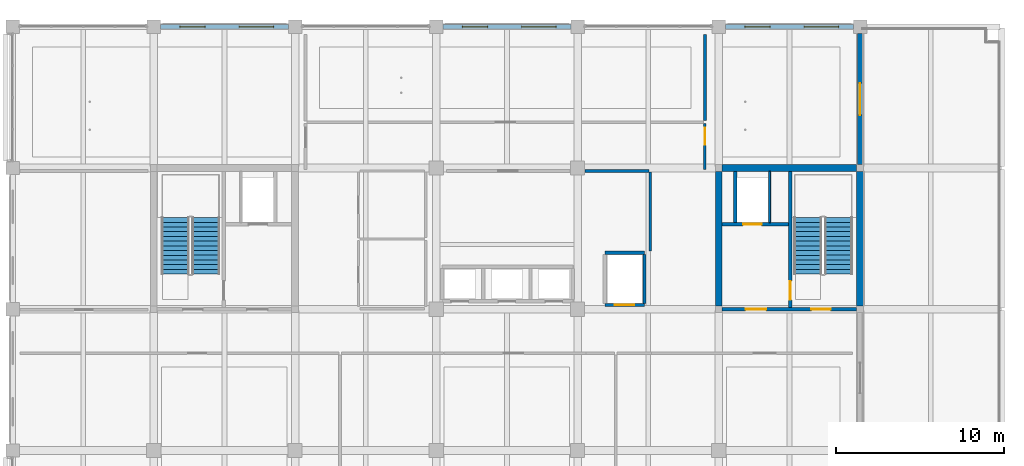
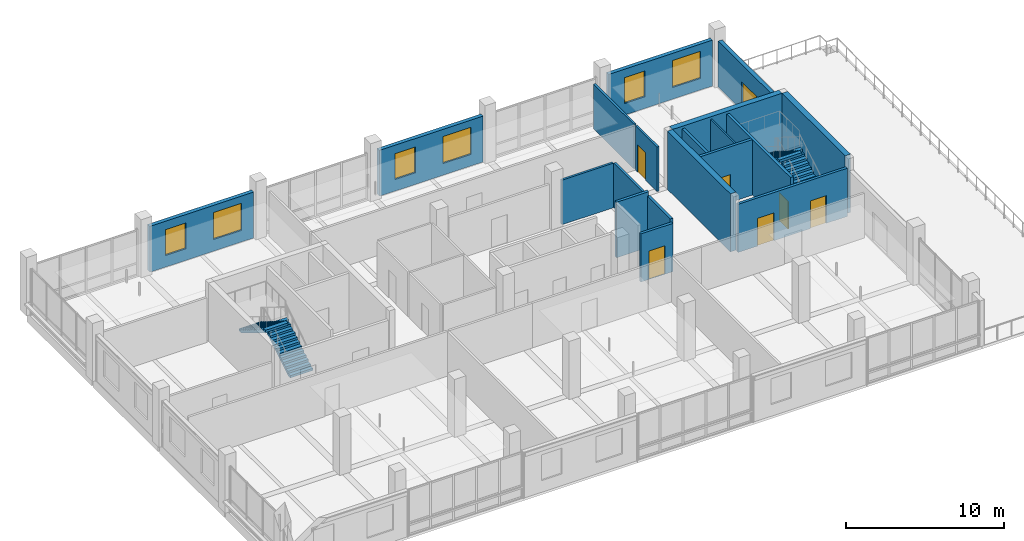
# One storey, part 13 of 36: 19 walls, 7 doors, 6 windows, 4 stair flights, 13 openings, 2 elements without a shape of their own.
"""IFC4 building model written with IfcOpenShell, lengths in metres."""

import ifcopenshell
import ifcopenshell.guid

model = None  # the IFC model being written
_history = None  # IfcOwnerHistory: only IFC2X3 demands one
_inside = {}  # id of a spatial element -> (the spatial element, [elements in it])
_under = {}  # id of a project, library or spatial element -> (it, [spatial elements below it])
_declared = {}  # id of a project -> (the project, [libraries it declares])
_typed = {}  # id of a type object -> (the type object, [elements of that type])
_made_of = {}  # id of a material, layer set ... -> (it, [elements and type objects made of it])


def new_model(schema):
    """Start an empty IFC model of exactly this schema.

    Asked for "IFC4X3", IfcOpenShell would pick the latest addendum, in which some entities
    have other attributes; the version numbers below select the first issue.
    IFC2X3 requires an IfcOwnerHistory on every rooted entity: one is made here for all.
    """
    global model, _history
    if schema == "IFC4X3":
        model = ifcopenshell.file(schema_version=(4, 3, 0, 0))
    else:
        model = ifcopenshell.file(schema=schema)
    _inside.clear()
    _under.clear()
    _declared.clear()
    _typed.clear()
    _made_of.clear()
    _history = None
    if model.schema == "IFC2X3":
        org = make("IfcOrganization", Name="unknown")
        user = make(
            "IfcPersonAndOrganization",
            ThePerson=make("IfcPerson", FamilyName="unknown"),
            TheOrganization=org,
        )
        app = make(
            "IfcApplication",
            ApplicationDeveloper=org,
            Version="unknown",
            ApplicationFullName="unknown",
            ApplicationIdentifier="unknown",
        )
        _history = make(
            "IfcOwnerHistory",
            OwningUser=user,
            OwningApplication=app,
            ChangeAction="ADDED",
            CreationDate=0,
        )
    return model


def make(cls, **values):
    """One entity of the class cls with the attributes given. An attribute that is None is left unset."""
    return model.create_entity(
        cls, **{name: value for name, value in values.items() if value is not None}
    )


def rooted(cls, **values):
    """An entity with a GlobalId (a new one), such as an element, a storey or a relation."""
    return make(cls, GlobalId=ifcopenshell.guid.new(), OwnerHistory=_history, **values)


def si_unit(unit_type, name, prefix=None):
    """IfcSIUnit, for example si_unit("LENGTHUNIT", "METRE", prefix="MILLI")."""
    return make("IfcSIUnit", UnitType=unit_type, Prefix=prefix, Name=name)


def assignment(units):
    """IfcUnitAssignment: the units of a project."""
    return None if units is None else make("IfcUnitAssignment", Units=units)


def point(xyz):
    """IfcCartesianPoint."""
    return None if xyz is None else make("IfcCartesianPoint", Coordinates=xyz)


def direction(xyz):
    """IfcDirection."""
    return None if xyz is None else make("IfcDirection", DirectionRatios=xyz)


def frame(location, z_axis=None, x_axis=None):
    """IfcAxis2Placement3D, a coordinate frame: its origin and axes. An axis left out is left unset."""
    return make(
        "IfcAxis2Placement3D",
        Location=point(location),
        Axis=direction(z_axis),
        RefDirection=direction(x_axis),
    )


def frame_2d(location, x_axis=None):
    """IfcAxis2Placement2D, a coordinate frame in the plane: its origin and x axis."""
    return make(
        "IfcAxis2Placement2D", Location=point(location), RefDirection=direction(x_axis)
    )


def origin():
    """The frame at (0, 0, 0) with its axes left unset."""
    return frame((0.0, 0.0, 0.0))


def place(relative_to, where):
    """IfcLocalPlacement: puts the frame where relative to a parent placement (None: the world)."""
    return make(
        "IfcLocalPlacement", PlacementRelTo=relative_to, RelativePlacement=where
    )


def context(
    kind, dimensions, precision=None, world=None, true_north=None, identifier=None
):
    """IfcGeometricRepresentationContext, for example the 3D "Model" context."""
    return make(
        "IfcGeometricRepresentationContext",
        ContextIdentifier=identifier,
        ContextType=kind,
        CoordinateSpaceDimension=dimensions,
        Precision=precision,
        WorldCoordinateSystem=world,
        TrueNorth=true_north,
    )


def subcontext(parent, identifier, kind, view, scale=None):
    """IfcGeometricRepresentationSubContext, for example "Body" below "Model"."""
    return make(
        "IfcGeometricRepresentationSubContext",
        ContextIdentifier=identifier,
        ContextType=kind,
        ParentContext=parent,
        TargetScale=scale,
        TargetView=view,
    )


def project(units=None, contexts=None):
    """IfcProject with its units and contexts."""
    return rooted(
        "IfcProject",
        Name="project",
        RepresentationContexts=contexts,
        UnitsInContext=assignment(units),
    )


def spatial(cls, under=None, at=None, **own):
    """A site, building, storey or space (cls), placed at a placement, below another one or the project."""
    s = rooted(cls, ObjectPlacement=at, **own)
    if under is not None:
        _under.setdefault(under.id(), (under, []))[1].append(s)
    return s


def polyline(points):
    """IfcPolyline through the points."""
    return make("IfcPolyline", Points=[point(p) for p in points])


def profile(cls, at=None, kind="AREA", **sizes):
    """A parametric profile (cls). Its sizes go by their IFC names, for example OverallWidth=200.0."""
    return make(cls, ProfileType=kind, Position=at, **sizes)


def rectangle(**sizes):
    """IfcRectangleProfileDef."""
    return profile("IfcRectangleProfileDef", **sizes)


def outline(outer, holes=None, kind="AREA"):
    """IfcArbitraryClosedProfileDef: a profile drawn as a closed curve; with holes, ...WithVoids."""
    if holes is None:
        return make("IfcArbitraryClosedProfileDef", ProfileType=kind, OuterCurve=outer)
    return make(
        "IfcArbitraryProfileDefWithVoids",
        ProfileType=kind,
        OuterCurve=outer,
        InnerCurves=holes,
    )


def extrude(swept, where, along, depth):
    """IfcExtrudedAreaSolid: the profile swept, set in the frame where, extruded along a direction by depth."""
    return make(
        "IfcExtrudedAreaSolid",
        SweptArea=swept,
        Position=where,
        ExtrudedDirection=direction(along),
        Depth=depth,
    )


def shape(context_of_items, identifier, shape_type, items):
    """IfcShapeRepresentation: the items that make up one representation, for example the "Body"."""
    return make(
        "IfcShapeRepresentation",
        ContextOfItems=context_of_items,
        RepresentationIdentifier=identifier,
        RepresentationType=shape_type,
        Items=items,
    )


def material(Name=None, Category=None):
    """IfcMaterial."""
    return make("IfcMaterial", Name=Name, Category=Category)


def layer(
    of_material, thickness, ventilated=None, Name=None, Category=None, Priority=None
):
    """IfcMaterialLayer: one layer of a wall or slab, of a material (None: an air gap)."""
    return make(
        "IfcMaterialLayer",
        Material=of_material,
        LayerThickness=thickness,
        IsVentilated=ventilated,
        Name=Name,
        Category=Category,
        Priority=Priority,
    )


def layer_set(layers, Name=None):
    """IfcMaterialLayerSet."""
    return make("IfcMaterialLayerSet", MaterialLayers=layers, LayerSetName=Name)


def made_of(thing, what):
    """Note that an element or type object is made of a material, layer set ...; save() writes the relation."""
    if what is not None:
        _made_of.setdefault(what.id(), (what, []))[1].append(thing)
    return thing


def type_object(cls, material=None, **own):
    """A type object (cls), such as IfcWallType, which elements share."""
    return made_of(rooted(cls, **own), material)


def element(
    cls,
    number,
    at=None,
    inside=None,
    cuts=None,
    type_object=None,
    material=None,
    context=None,
    identifier="Body",
    shape_type=None,
    held_by="IfcProductDefinitionShape",
    body=None,
    shapes=None,
    **own,
):
    """One element of the class cls, such as IfcWall. Its Tag is "e" and its number.

    at: its placement. inside: the storey or other place that contains it. cuts: it is an
    opening in that element (IfcRelVoidsElement). A single representation is given by context,
    identifier, shape_type and body (its items); several are given by shapes. held_by: the class
    of the entity that holds the representations. save() writes the other relations.
    """
    e = rooted(cls, Tag="e%d" % number, ObjectPlacement=at, **own)
    if body is not None:
        shapes = [shape(context, identifier, shape_type, body)]
    if shapes is not None:
        e.Representation = make(held_by, Representations=shapes)
    if inside is not None:
        _inside.setdefault(inside.id(), (inside, []))[1].append(e)
    if cuts is not None:
        rooted(
            "IfcRelVoidsElement", RelatingBuildingElement=cuts, RelatedOpeningElement=e
        )
    if type_object is not None:
        _typed.setdefault(type_object.id(), (type_object, []))[1].append(e)
    return made_of(e, material)


def fill(opening, filler):
    """IfcRelFillsElement: the door or window that sits in an opening."""
    return rooted(
        "IfcRelFillsElement",
        RelatingOpeningElement=opening,
        RelatedBuildingElement=filler,
    )


def aggregate(whole, parts):
    """IfcRelAggregates: a whole, such as a stair, and the parts it consists of."""
    return rooted("IfcRelAggregates", RelatingObject=whole, RelatedObjects=parts)


def save(model, path):
    """Write the relations noted so far, then the file.

    IfcRelAggregates (storeys below a building ...), IfcRelContainedInSpatialStructure (elements
    in a storey), IfcRelDefinesByType, IfcRelAssociatesMaterial and IfcRelDeclares: one each for
    every whole, place, type object, material and project.
    """
    for whole, parts in _under.values():
        aggregate(whole, parts)
    for where, things in _inside.values():
        rooted(
            "IfcRelContainedInSpatialStructure",
            RelatedElements=things,
            RelatingStructure=where,
        )
    for kind, things in _typed.values():
        rooted("IfcRelDefinesByType", RelatedObjects=things, RelatingType=kind)
    for what, things in _made_of.values():
        rooted("IfcRelAssociatesMaterial", RelatedObjects=things, RelatingMaterial=what)
    for by, libraries in _declared.values():
        rooted("IfcRelDeclares", RelatingContext=by, RelatedDefinitions=libraries)
    model.write(path)


model = new_model("IFC4")

# Units and contexts
model_context = context("Model", 3, precision=1e-05, world=origin(), true_north=direction((0.0, 1.0)))
body_context = subcontext(model_context, "Body", "Model", "MODEL_VIEW")
ifc_project = project(units=[si_unit("LENGTHUNIT", "METRE"), si_unit("AREAUNIT", "SQUARE_METRE"), si_unit("VOLUMEUNIT", "CUBIC_METRE"), si_unit("PLANEANGLEUNIT", "RADIAN"), si_unit("MASSUNIT", "GRAM", prefix="KILO")], contexts=[model_context])

# Site, building, storey
site_placement = place(None, origin())
site = spatial("IfcSite", under=ifc_project, at=site_placement, CompositionType="ELEMENT")
building_placement = place(site_placement, origin())
building = spatial("IfcBuilding", under=site, at=building_placement, Name="Telukmera Botanical Conservatory", CompositionType="ELEMENT")
storey_placement = place(building_placement, frame((0.0, 0.0, 33.0)))
storey = spatial("IfcBuildingStorey", under=building, at=storey_placement, Name="L07", CompositionType="ELEMENT", Elevation=33.0)

# Wall, openings, windows
ifc_material_1 = material(Name="Precast concrete C40/50", Category="concrete")
ifc_layer_1 = layer(ifc_material_1, 0.280029296875)
ifc_layer_set_1 = layer_set([ifc_layer_1], Name="Precast concrete C40/50")
wall_type_1 = type_object("IfcWallType", Name="Exterior Laboratory Modular Precast Wall 280", PredefinedType="ELEMENTEDWALL", material=ifc_layer_set_1)
wall_1_placement = place(storey_placement, frame((59.201904296875, 42.800048828125, 0.0), z_axis=(0.0, 0.0, 1.0), x_axis=(1.0, 0.0, 0.0)))
wall_1 = element("IfcWall", 1, at=wall_1_placement, inside=storey, type_object=wall_type_1, Name="Exterior Precast Wall EW06 V4:L07:N2", PredefinedType="ELEMENTEDWALL", context=body_context, shape_type="SweptSolid", body=[
    extrude(rectangle(XDim=7.59619140625, YDim=0.280029296875, at=frame_2d((3.798095703125, 0.0))), origin(), (0.0, 0.0, 1.0), 3.550048828125),
])
opening_1_placement = place(wall_1_placement, frame((1.14892578125, 0.0, 0.89990234375)))
opening_1 = element("IfcOpeningElement", 2, at=opening_1_placement, cuts=wall_1, Name="Opening W06", PredefinedType="OPENING", context=body_context, shape_type="SweptSolid", body=[
    extrude(rectangle(XDim=1.5, YDim=2.0, at=frame_2d((0.75, 1.0))), frame((0.0, 0.14990234375, 0.0), z_axis=(0.0, -1.0, 0.0), x_axis=(1.0, 0.0, 0.0)), (0.0, 0.0, 1.0), 0.300048828125),
])
opening_2_placement = place(wall_1_placement, frame((4.672119140625, 0.0, 0.89990234375)))
opening_2 = element("IfcOpeningElement", 3, at=opening_2_placement, cuts=wall_1, Name="Opening W14", PredefinedType="OPENING", context=body_context, shape_type="SweptSolid", body=[
    extrude(rectangle(XDim=2.050048828125, YDim=2.10009765625, at=frame_2d((1.02490234375, 1.050048828125))), frame((0.0, 0.14990234375, 0.0), z_axis=(0.0, -1.0, 0.0), x_axis=(1.0, 0.0, 0.0)), (0.0, 0.0, 1.0), 0.300048828125),
])
ifc_material_2 = material(Name="Thermally broken anodised aluminium frame with low-E double glazing", Category="aluminium")
window_type_1 = type_object("IfcWindowType", Name="Double Vertical Laboratory Viewing Window 1500x2000", PartitioningType="DOUBLE_PANEL_VERTICAL", PredefinedType="WINDOW", material=ifc_material_2)
window_1_placement = place(opening_1_placement, origin())
window_1 = element("IfcWindow", 4, at=window_1_placement, inside=storey, type_object=window_type_1, Name="Facade Window W06 V4:L07:N2 1", OverallHeight=2.0, OverallWidth=1.5, PartitioningType="DOUBLE_PANEL_VERTICAL", PredefinedType="WINDOW", context=body_context, shape_type="SweptSolid", body=[
    extrude(rectangle(XDim=1.5, YDim=2.0, at=frame_2d((0.75, 1.0))), frame((0.0, 0.030029296875, 0.0), z_axis=(0.0, -1.0, 0.0), x_axis=(1.0, 0.0, 0.0)), (0.0, 0.0, 1.0), 0.06005859375),
])
fill(opening_1, window_1)
window_type_2 = type_object("IfcWindowType", Name="Triple Vertical Microscopy Lab Window 2050x2100", PartitioningType="TRIPLE_PANEL_VERTICAL", PredefinedType="WINDOW", material=ifc_material_2)
window_2_placement = place(opening_2_placement, origin())
window_2 = element("IfcWindow", 5, at=window_2_placement, inside=storey, type_object=window_type_2, Name="Facade Window W14 V4:L07:N2 2", OverallHeight=2.10009765625, OverallWidth=2.050048828125, PartitioningType="TRIPLE_PANEL_VERTICAL", PredefinedType="WINDOW", context=body_context, shape_type="SweptSolid", body=[
    extrude(rectangle(XDim=2.050048828125, YDim=2.10009765625, at=frame_2d((1.02490234375, 1.050048828125))), frame((0.0, 0.030029296875, 0.0), z_axis=(0.0, -1.0, 0.0), x_axis=(1.0, 0.0, 0.0)), (0.0, 0.0, 1.0), 0.06005859375),
])
fill(opening_2, window_2)

wall_2_placement = place(storey_placement, frame((76.001953125, 42.800048828125, 0.0), z_axis=(0.0, 0.0, 1.0), x_axis=(1.0, 0.0, 0.0)))
wall_2 = element("IfcWall", 6, at=wall_2_placement, inside=storey, type_object=wall_type_1, Name="Exterior Precast Wall EW06 V4:L07:N4", PredefinedType="ELEMENTEDWALL", context=body_context, shape_type="SweptSolid", body=[
    extrude(rectangle(XDim=7.595947265625, YDim=0.280029296875, at=frame_2d((3.7978515625, 0.0))), origin(), (0.0, 0.0, 1.0), 3.550048828125),
])
opening_3_placement = place(wall_2_placement, frame((1.14892578125, 0.0, 0.89990234375)))
opening_3 = element("IfcOpeningElement", 7, at=opening_3_placement, cuts=wall_2, Name="Opening W06", PredefinedType="OPENING", context=body_context, shape_type="SweptSolid", body=[
    extrude(rectangle(XDim=1.5, YDim=2.0, at=frame_2d((0.75, 1.0))), frame((0.0, 0.14990234375, 0.0), z_axis=(0.0, -1.0, 0.0), x_axis=(1.0, 0.0, 0.0)), (0.0, 0.0, 1.0), 0.300048828125),
])
opening_4_placement = place(wall_2_placement, frame((4.672119140625, 0.0, 0.89990234375)))
opening_4 = element("IfcOpeningElement", 8, at=opening_4_placement, cuts=wall_2, Name="Opening W14", PredefinedType="OPENING", context=body_context, shape_type="SweptSolid", body=[
    extrude(rectangle(XDim=2.050048828125, YDim=2.10009765625, at=frame_2d((1.02490234375, 1.050048828125))), frame((0.0, 0.14990234375, 0.0), z_axis=(0.0, -1.0, 0.0), x_axis=(1.0, 0.0, 0.0)), (0.0, 0.0, 1.0), 0.300048828125),
])
window_3_placement = place(opening_3_placement, origin())
window_3 = element("IfcWindow", 9, at=window_3_placement, inside=storey, type_object=window_type_1, Name="Facade Window W06 V4:L07:N4 1", OverallHeight=2.0, OverallWidth=1.5, PartitioningType="DOUBLE_PANEL_VERTICAL", PredefinedType="WINDOW", context=body_context, shape_type="SweptSolid", body=[
    extrude(rectangle(XDim=1.5, YDim=2.0, at=frame_2d((0.75, 1.0))), frame((0.0, 0.030029296875, 0.0), z_axis=(0.0, -1.0, 0.0), x_axis=(1.0, 0.0, 0.0)), (0.0, 0.0, 1.0), 0.06005859375),
])
fill(opening_3, window_3)
window_4_placement = place(opening_4_placement, origin())
window_4 = element("IfcWindow", 10, at=window_4_placement, inside=storey, type_object=window_type_2, Name="Facade Window W14 V4:L07:N4 2", OverallHeight=2.10009765625, OverallWidth=2.050048828125, PartitioningType="TRIPLE_PANEL_VERTICAL", PredefinedType="WINDOW", context=body_context, shape_type="SweptSolid", body=[
    extrude(rectangle(XDim=2.050048828125, YDim=2.10009765625, at=frame_2d((1.02490234375, 1.050048828125))), frame((0.0, 0.030029296875, 0.0), z_axis=(0.0, -1.0, 0.0), x_axis=(1.0, 0.0, 0.0)), (0.0, 0.0, 1.0), 0.06005859375),
])
fill(opening_4, window_4)

wall_3_placement = place(storey_placement, frame((92.802001953125, 42.800048828125, 0.0), z_axis=(0.0, 0.0, 1.0), x_axis=(1.0, 0.0, 0.0)))
wall_3 = element("IfcWall", 11, at=wall_3_placement, inside=storey, type_object=wall_type_1, Name="Exterior Precast Wall EW06 V4:L07:N6", PredefinedType="ELEMENTEDWALL", context=body_context, shape_type="SweptSolid", body=[
    extrude(rectangle(XDim=7.595947265625, YDim=0.280029296875, at=frame_2d((3.7978515625, 0.0))), origin(), (0.0, 0.0, 1.0), 3.550048828125),
])
opening_5_placement = place(wall_3_placement, frame((1.14892578125, 0.0, 0.89990234375)))
opening_5 = element("IfcOpeningElement", 12, at=opening_5_placement, cuts=wall_3, Name="Opening W06", PredefinedType="OPENING", context=body_context, shape_type="SweptSolid", body=[
    extrude(rectangle(XDim=1.5, YDim=2.0, at=frame_2d((0.75, 1.0))), frame((0.0, 0.14990234375, 0.0), z_axis=(0.0, -1.0, 0.0), x_axis=(1.0, 0.0, 0.0)), (0.0, 0.0, 1.0), 0.300048828125),
])
opening_6_placement = place(wall_3_placement, frame((4.672119140625, 0.0, 0.89990234375)))
opening_6 = element("IfcOpeningElement", 13, at=opening_6_placement, cuts=wall_3, Name="Opening W14", PredefinedType="OPENING", context=body_context, shape_type="SweptSolid", body=[
    extrude(rectangle(XDim=2.050048828125, YDim=2.10009765625, at=frame_2d((1.02490234375, 1.050048828125))), frame((0.0, 0.14990234375, 0.0), z_axis=(0.0, -1.0, 0.0), x_axis=(1.0, 0.0, 0.0)), (0.0, 0.0, 1.0), 0.300048828125),
])
window_5_placement = place(opening_5_placement, origin())
window_5 = element("IfcWindow", 14, at=window_5_placement, inside=storey, type_object=window_type_1, Name="Facade Window W06 V4:L07:N6 1", OverallHeight=2.0, OverallWidth=1.5, PartitioningType="DOUBLE_PANEL_VERTICAL", PredefinedType="WINDOW", context=body_context, shape_type="SweptSolid", body=[
    extrude(rectangle(XDim=1.5, YDim=2.0, at=frame_2d((0.75, 1.0))), frame((0.0, 0.030029296875, 0.0), z_axis=(0.0, -1.0, 0.0), x_axis=(1.0, 0.0, 0.0)), (0.0, 0.0, 1.0), 0.06005859375),
])
fill(opening_5, window_5)
window_6_placement = place(opening_6_placement, origin())
window_6 = element("IfcWindow", 15, at=window_6_placement, inside=storey, type_object=window_type_2, Name="Facade Window W14 V4:L07:N6 2", OverallHeight=2.10009765625, OverallWidth=2.050048828125, PartitioningType="TRIPLE_PANEL_VERTICAL", PredefinedType="WINDOW", context=body_context, shape_type="SweptSolid", body=[
    extrude(rectangle(XDim=2.050048828125, YDim=2.10009765625, at=frame_2d((1.02490234375, 1.050048828125))), frame((0.0, 0.030029296875, 0.0), z_axis=(0.0, -1.0, 0.0), x_axis=(1.0, 0.0, 0.0)), (0.0, 0.0, 1.0), 0.06005859375),
])
fill(opening_6, window_6)

# Wall, opening, door
wall_4_placement = place(storey_placement, frame((100.800048828125, 34.60205078125, 0.0), z_axis=(0.0, 0.0, 1.0), x_axis=(0.0, 1.0, 0.0)))
wall_4 = element("IfcWall", 16, at=wall_4_placement, inside=storey, type_object=wall_type_1, Name="Exterior Precast Wall EW06 V4:L07:E4", PredefinedType="ELEMENTEDWALL", context=body_context, shape_type="SweptSolid", body=[
    extrude(rectangle(XDim=7.7958984375, YDim=0.280029296875, at=frame_2d((3.89794921875, 0.0))), origin(), (0.0, 0.0, 1.0), 3.550048828125),
])
opening_7_placement = place(wall_4_placement, frame((2.947998046875, 0.0, 0.0)))
opening_7 = element("IfcOpeningElement", 17, at=opening_7_placement, cuts=wall_4, Name="Opening DT702", PredefinedType="OPENING", context=body_context, shape_type="SweptSolid", body=[
    extrude(rectangle(XDim=1.89990234375, YDim=2.199951171875, at=frame_2d((0.949951171875, 1.10009765625))), frame((0.0, 0.14990234375, 0.0), z_axis=(0.0, -1.0, 0.0), x_axis=(1.0, 0.0, 0.0)), (0.0, 0.0, 1.0), 0.300048828125),
])
ifc_material_3 = material(Name="Thermally broken anodised aluminium glazed door assembly", Category="aluminium")
door_type_1 = type_object("IfcDoorType", Name="Level 07 Botanical Sky Terrace North Glazed Door 1900x2200", OperationType="NOTDEFINED", PredefinedType="DOOR", material=ifc_material_3)
door_1_placement = place(opening_7_placement, frame((1.89990234375, 0.0, 0.0), z_axis=(0.0, 0.0, 1.0), x_axis=(-1.0, 0.0, 0.0)))
door_1 = element("IfcDoor", 18, at=door_1_placement, inside=storey, type_object=door_type_1, Name="Exterior Door DT702", OperationType="DOUBLE_DOOR_SINGLE_SWING", OverallHeight=2.199951171875, OverallWidth=1.89990234375, PredefinedType="DOOR", context=body_context, shape_type="SweptSolid", body=[
    extrude(rectangle(XDim=1.89990234375, YDim=2.199951171875, at=frame_2d((0.949951171875, 1.10009765625))), frame((0.0, 0.02490234375, 0.0), z_axis=(0.0, -1.0, 0.0), x_axis=(1.0, 0.0, 0.0)), (0.0, 0.0, 1.0), 0.050048828125),
])
fill(opening_7, door_1)

# Wall, openings, doors
ifc_material_4 = material(Name="Concrete C40/50", Category="concrete")
ifc_layer_2 = layer(ifc_material_4, 0.199951171875)
ifc_layer_set_2 = layer_set([ifc_layer_2], Name="Concrete C40/50")
wall_type_2 = type_object("IfcWallType", Name="WT-CORE-200", PredefinedType="SOLIDWALL", material=ifc_layer_set_2)
wall_5_placement = place(storey_placement, frame((92.60009765625, 26.0, 0.0), z_axis=(0.0, 0.0, 1.0), x_axis=(1.0, 0.0, 0.0)))
wall_5 = element("IfcWall", 19, at=wall_5_placement, inside=storey, type_object=wall_type_2, Name="L07 Core C2 South Fire Wall", PredefinedType="SOLIDWALL", context=body_context, shape_type="SweptSolid", body=[
    extrude(rectangle(XDim=8.0, YDim=0.199951171875, at=frame_2d((4.0, 0.0))), origin(), (0.0, 0.0, 1.0), 3.72998046875),
])
opening_8_placement = place(wall_5_placement, frame((1.39990234375, 0.0, 0.0)))
opening_8 = element("IfcOpeningElement", 20, at=opening_8_placement, cuts=wall_5, Name="Opening FD60C", PredefinedType="OPENING", context=body_context, shape_type="SweptSolid", body=[
    extrude(rectangle(XDim=1.219970703125, YDim=2.14990234375, at=frame_2d((0.60986328125, 1.074951171875))), frame((0.0, 0.10986328125, 0.0), z_axis=(0.0, -1.0, 0.0), x_axis=(1.0, 0.0, 0.0)), (0.0, 0.0, 1.0), 0.219970703125),
])
opening_9_placement = place(wall_5_placement, frame((5.300048828125, 0.0, 0.0)))
opening_9 = element("IfcOpeningElement", 21, at=opening_9_placement, cuts=wall_5, Name="Opening FD60A", PredefinedType="OPENING", context=body_context, shape_type="SweptSolid", body=[
    extrude(rectangle(XDim=1.14990234375, YDim=2.14990234375, at=frame_2d((0.574951171875, 1.074951171875))), frame((0.0, 0.10986328125, 0.0), z_axis=(0.0, -1.0, 0.0), x_axis=(1.0, 0.0, 0.0)), (0.0, 0.0, 1.0), 0.219970703125),
])
ifc_material_5 = material(Name="Hardwood fire door", Category="wood")
door_type_2 = type_object("IfcDoorType", Name="DT-FD60-01", OperationType="NOTDEFINED", PredefinedType="DOOR", material=ifc_material_5)
door_2_placement = place(opening_9_placement, origin())
door_2 = element("IfcDoor", 22, at=door_2_placement, inside=storey, type_object=door_type_2, Name="L07 Stair ST2 Escape Door", OperationType="SINGLE_SWING_RIGHT", OverallHeight=2.14990234375, OverallWidth=1.14990234375, PredefinedType="DOOR", context=body_context, shape_type="SweptSolid", body=[
    extrude(rectangle(XDim=1.14990234375, YDim=2.14990234375, at=frame_2d((0.574951171875, 1.074951171875))), frame((0.0, 0.02490234375, 0.0), z_axis=(0.0, -1.0, 0.0), x_axis=(1.0, 0.0, 0.0)), (0.0, 0.0, 1.0), 0.050048828125),
])
fill(opening_9, door_2)
door_type_3 = type_object("IfcDoorType", Name="DT-FD60-03", OperationType="NOTDEFINED", PredefinedType="DOOR", material=ifc_material_5)
door_3_placement = place(opening_8_placement, origin())
door_3 = element("IfcDoor", 23, at=door_3_placement, inside=storey, type_object=door_type_3, Name="L07 Firefighting Lobby C2 Door", OperationType="SINGLE_SWING_LEFT", OverallHeight=2.14990234375, OverallWidth=1.219970703125, PredefinedType="DOOR", context=body_context, shape_type="SweptSolid", body=[
    extrude(rectangle(XDim=1.219970703125, YDim=2.14990234375, at=frame_2d((0.60986328125, 1.074951171875))), frame((0.0, 0.02490234375, 0.0), z_axis=(0.0, -1.0, 0.0), x_axis=(1.0, 0.0, 0.0)), (0.0, 0.0, 1.0), 0.050048828125),
])
fill(opening_8, door_3)

# Wall, opening, door
wall_6_placement = place(storey_placement, frame((96.64990234375, 26.10009765625, 0.0), z_axis=(0.0, 0.0, 1.0), x_axis=(0.0, 1.0, 0.0)))
wall_6 = element("IfcWall", 24, at=wall_6_placement, inside=storey, type_object=wall_type_2, Name="L07 Core C2 Stair-Lobby Wall", PredefinedType="SOLIDWALL", context=body_context, shape_type="SweptSolid", body=[
    extrude(rectangle(XDim=8.099853515625, YDim=0.199951171875, at=frame_2d((4.0498046875, 0.0))), origin(), (0.0, 0.0, 1.0), 4.300048828125),
])
opening_10_placement = place(wall_6_placement, frame((0.449951171875, 0.0, 0.0)))
opening_10 = element("IfcOpeningElement", 25, at=opening_10_placement, cuts=wall_6, Name="Opening FD60B", PredefinedType="OPENING", context=body_context, shape_type="SweptSolid", body=[
    extrude(rectangle(XDim=1.1201171875, YDim=2.14990234375, at=frame_2d((0.56005859375, 1.074951171875))), frame((0.0, 0.10986328125, 0.0), z_axis=(0.0, -1.0, 0.0), x_axis=(1.0, 0.0, 0.0)), (0.0, 0.0, 1.0), 0.219970703125),
])
door_type_4 = type_object("IfcDoorType", Name="DT-FD60-02", OperationType="NOTDEFINED", PredefinedType="DOOR", material=ifc_material_5)
door_4_placement = place(opening_10_placement, frame((1.1201171875, 0.0, 0.0), z_axis=(0.0, 0.0, 1.0), x_axis=(-1.0, 0.0, 0.0)))
door_4 = element("IfcDoor", 26, at=door_4_placement, inside=storey, type_object=door_type_4, Name="L07 Firefighting Lobby C2 to ST2 Door", OperationType="SINGLE_SWING_LEFT", OverallHeight=2.14990234375, OverallWidth=1.1201171875, PredefinedType="DOOR", context=body_context, shape_type="SweptSolid", body=[
    extrude(rectangle(XDim=1.1201171875, YDim=2.14990234375, at=frame_2d((0.56005859375, 1.074951171875))), frame((0.0, 0.02490234375, 0.0), z_axis=(0.0, -1.0, 0.0), x_axis=(1.0, 0.0, 0.0)), (0.0, 0.0, 1.0), 0.050048828125),
])
fill(opening_10, door_4)

wall_7_placement = place(storey_placement, frame((92.60009765625, 31.050048828125, 0.0), z_axis=(0.0, 0.0, 1.0), x_axis=(1.0, 0.0, 0.0)))
wall_7 = element("IfcWall", 27, at=wall_7_placement, inside=storey, type_object=wall_type_2, Name="L07 Fire Lift FL2 Shaft Front Wall", PredefinedType="SOLIDWALL", context=body_context, shape_type="SweptSolid", body=[
    extrude(rectangle(XDim=3.949951171875, YDim=0.199951171875, at=frame_2d((1.97509765625, 0.0))), origin(), (0.0, 0.0, 1.0), 4.300048828125),
])
opening_11_placement = place(wall_7_placement, frame((1.25, 0.0, 0.0)))
opening_11 = element("IfcOpeningElement", 28, at=opening_11_placement, cuts=wall_7, Name="Opening LD01", PredefinedType="OPENING", context=body_context, shape_type="SweptSolid", body=[
    extrude(rectangle(XDim=1.10009765625, YDim=2.14990234375, at=frame_2d((0.550048828125, 1.074951171875))), frame((0.0, 0.10986328125, 0.0), z_axis=(0.0, -1.0, 0.0), x_axis=(1.0, 0.0, 0.0)), (0.0, 0.0, 1.0), 0.219970703125),
])
ifc_material_6 = material(Name="Stainless steel 316", Category="steel")
door_type_5 = type_object("IfcDoorType", Name="DT-LD01", OperationType="SLIDING_TO_LEFT", PredefinedType="DOOR", material=ifc_material_6)
door_5_placement = place(opening_11_placement, frame((1.10009765625, 0.0, 0.0), z_axis=(0.0, 0.0, 1.0), x_axis=(-1.0, 0.0, 0.0)))
door_5 = element("IfcDoor", 29, at=door_5_placement, inside=storey, type_object=door_type_5, Name="L07 Lift Landing Door FL2", OperationType="SLIDING_TO_LEFT", OverallHeight=2.14990234375, OverallWidth=1.10009765625, PredefinedType="DOOR", context=body_context, shape_type="SweptSolid", body=[
    extrude(rectangle(XDim=1.10009765625, YDim=2.14990234375, at=frame_2d((0.550048828125, 1.074951171875))), frame((0.0, 0.02490234375, 0.0), z_axis=(0.0, -1.0, 0.0), x_axis=(1.0, 0.0, 0.0)), (0.0, 0.0, 1.0), 0.050048828125),
])
fill(opening_11, door_5)

# Wall
wall_8_placement = place(storey_placement, frame((93.3798828125, 31.14990234375, 0.0), z_axis=(0.0, 0.0, 1.0), x_axis=(0.0, 1.0, 0.0)))
element("IfcWall", 30, at=wall_8_placement, inside=storey, type_object=wall_type_2, Name="L07 Fire Lift FL2 Shaft West Wall", PredefinedType="SOLIDWALL", context=body_context, shape_type="SweptSolid", body=[
    extrude(rectangle(XDim=3.050048828125, YDim=0.199951171875, at=frame_2d((1.52490234375, 0.0))), origin(), (0.0, 0.0, 1.0), 4.300048828125),
])

# Wall, opening, door
wall_9_placement = place(storey_placement, frame((85.6201171875, 26.25, 0.0), z_axis=(0.0, 0.0, 1.0), x_axis=(1.0, 0.0, 0.0)))
wall_9 = element("IfcWall", 31, at=wall_9_placement, inside=storey, type_object=wall_type_2, Name="L07 Goods Lift GL1 Front Wall", PredefinedType="SOLIDWALL", context=body_context, shape_type="SweptSolid", body=[
    extrude(rectangle(XDim=2.35986328125, YDim=0.199951171875, at=frame_2d((1.179931640625, 0.0))), origin(), (0.0, 0.0, 1.0), 3.72998046875),
])
opening_12_placement = place(wall_9_placement, frame((0.60498046875, 0.0, 0.0)))
opening_12 = element("IfcOpeningElement", 32, at=opening_12_placement, cuts=wall_9, Name="Opening LD02", PredefinedType="OPENING", context=body_context, shape_type="SweptSolid", body=[
    extrude(rectangle(XDim=1.14990234375, YDim=2.199951171875, at=frame_2d((0.574951171875, 1.10009765625))), frame((0.0, 0.10986328125, 0.0), z_axis=(0.0, -1.0, 0.0), x_axis=(1.0, 0.0, 0.0)), (0.0, 0.0, 1.0), 0.219970703125),
])
door_type_6 = type_object("IfcDoorType", Name="DT-LD02", OperationType="SLIDING_TO_LEFT", PredefinedType="DOOR", material=ifc_material_6)
door_6_placement = place(opening_12_placement, frame((1.14990234375, 0.0, 0.0), z_axis=(0.0, 0.0, 1.0), x_axis=(-1.0, 0.0, 0.0)))
door_6 = element("IfcDoor", 33, at=door_6_placement, inside=storey, type_object=door_type_6, Name="L07 Lift Landing Door GL1", OperationType="SLIDING_TO_LEFT", OverallHeight=2.199951171875, OverallWidth=1.14990234375, PredefinedType="DOOR", context=body_context, shape_type="SweptSolid", body=[
    extrude(rectangle(XDim=1.14990234375, YDim=2.199951171875, at=frame_2d((0.574951171875, 1.10009765625))), frame((0.0, 0.02490234375, 0.0), z_axis=(0.0, -1.0, 0.0), x_axis=(1.0, 0.0, 0.0)), (0.0, 0.0, 1.0), 0.050048828125),
])
fill(opening_12, door_6)

# Walls
wall_10_placement = place(storey_placement, frame((85.6201171875, 29.35009765625, 0.0), z_axis=(0.0, 0.0, 1.0), x_axis=(1.0, 0.0, 0.0)))
element("IfcWall", 34, at=wall_10_placement, inside=storey, type_object=wall_type_2, Name="L07 Goods Lift GL1 Rear Wall", PredefinedType="SOLIDWALL", context=body_context, shape_type="SweptSolid", body=[
    extrude(rectangle(XDim=2.35986328125, YDim=0.199951171875, at=frame_2d((1.179931640625, 0.0))), origin(), (0.0, 0.0, 1.0), 4.300048828125),
])
wall_11_placement = place(storey_placement, frame((87.97998046875, 26.35009765625, 0.0), z_axis=(0.0, 0.0, 1.0), x_axis=(0.0, 1.0, 0.0)))
element("IfcWall", 35, at=wall_11_placement, inside=storey, type_object=wall_type_2, Name="L07 Goods Lift GL1 Side Wall 2", PredefinedType="SOLIDWALL", context=body_context, shape_type="SweptSolid", body=[
    extrude(rectangle(XDim=2.89990234375, YDim=0.199951171875, at=frame_2d((1.449951171875, 0.0))), origin(), (0.0, 0.0, 1.0), 3.97998046875),
])
ifc_material_7 = material(Name="Gypsum acoustic stud partition")
ifc_layer_3 = layer(ifc_material_7, 0.159912109375)
ifc_layer_set_3 = layer_set([ifc_layer_3], Name="Gypsum acoustic stud partition")
wall_type_3 = type_object("IfcWallType", Name="WT-LAB-160", PredefinedType="PARTITIONING", material=ifc_layer_set_3)
wall_12_placement = place(storey_placement, frame((88.324951171875, 29.449951171875, 0.0), z_axis=(0.0, 0.0, 1.0), x_axis=(0.0, 1.0, 0.0)))
element("IfcWall", 36, at=wall_12_placement, inside=storey, type_object=wall_type_3, Name="L07 Interior Partition 06", PredefinedType="PARTITIONING", context=body_context, shape_type="SweptSolid", body=[
    extrude(rectangle(XDim=4.699951171875, YDim=0.159912109375, at=frame_2d((2.35009765625, 0.0))), origin(), (0.0, 0.0, 1.0), 3.449951171875),
])
wall_13_placement = place(storey_placement, frame((84.455078125, 34.22509765625, 0.0), z_axis=(0.0, 0.0, 1.0), x_axis=(1.0, 0.0, 0.0)))
element("IfcWall", 37, at=wall_13_placement, inside=storey, type_object=wall_type_3, Name="L07 Interior Partition 08", PredefinedType="PARTITIONING", context=body_context, shape_type="SweptSolid", body=[
    extrude(rectangle(XDim=3.780029296875, YDim=0.159912109375, at=frame_2d((1.89013671875, 0.0))), origin(), (0.0, 0.0, 1.0), 3.449951171875),
])
wall_14_placement = place(storey_placement, frame((91.574951171875, 37.215087890625, 0.0), z_axis=(0.0, 0.0, 1.0), x_axis=(0.0, 1.0, 0.0)))
element("IfcWall", 38, at=wall_14_placement, inside=storey, type_object=wall_type_3, Name="L07 Interior Partition 23", PredefinedType="PARTITIONING", context=body_context, shape_type="SweptSolid", body=[
    extrude(rectangle(XDim=5.135009765625, YDim=0.159912109375, at=frame_2d((2.5673828125, 0.0))), origin(), (0.0, 0.0, 1.0), 3.449951171875),
])
ifc_material_8 = material(Name="Gypsum shaftwall liner")
ifc_layer_4 = layer(ifc_material_8, 0.110107421875)
ifc_layer_set_4 = layer_set([ifc_layer_4], Name="Gypsum shaftwall liner")
wall_type_4 = type_object("IfcWallType", Name="WT-RISER-110", PredefinedType="PARTITIONING", material=ifc_layer_set_4)
wall_15_placement = place(storey_placement, frame((95.419921875, 31.14990234375, 0.0), z_axis=(0.0, 0.0, 1.0), x_axis=(0.0, 1.0, 0.0)))
element("IfcWall", 39, at=wall_15_placement, inside=storey, type_object=wall_type_4, Name="L07 Wet Riser C2 Shaft Wall", PredefinedType="PARTITIONING", context=body_context, shape_type="SweptSolid", body=[
    extrude(rectangle(XDim=3.050048828125, YDim=0.110107421875, at=frame_2d((1.52490234375, 0.0))), origin(), (0.0, 0.0, 1.0), 4.300048828125),
])

# Wall, opening, door
ifc_layer_5 = layer(ifc_material_7, 0.14990234375)
ifc_layer_set_5 = layer_set([ifc_layer_5], Name="Gypsum acoustic stud partition")
wall_type_5 = type_object("IfcWallType", Name="WT-STD-150", PredefinedType="PARTITIONING", material=ifc_layer_set_5)
wall_16_placement = place(storey_placement, frame((91.574951171875, 34.300048828125, 0.0), z_axis=(0.0, 0.0, 1.0), x_axis=(0.0, 1.0, 0.0)))
wall_16 = element("IfcWall", 40, at=wall_16_placement, inside=storey, type_object=wall_type_5, Name="L07 Interior Partition 21", PredefinedType="PARTITIONING", context=body_context, shape_type="SweptSolid", body=[
    extrude(rectangle(XDim=2.73486328125, YDim=0.14990234375, at=frame_2d((1.367431640625, 0.0))), origin(), (0.0, 0.0, 1.0), 3.449951171875),
])
opening_13_placement = place(wall_16_placement, frame((1.485107421875, 0.0, 0.0)))
opening_13 = element("IfcOpeningElement", 41, at=opening_13_placement, cuts=wall_16, Name="Opening ID14", PredefinedType="OPENING", context=body_context, shape_type="SweptSolid", body=[
    extrude(rectangle(XDim=1.0, YDim=2.14990234375, at=frame_2d((0.5, 1.074951171875))), frame((0.0, 0.0849609375, 0.0), z_axis=(0.0, -1.0, 0.0), x_axis=(1.0, 0.0, 0.0)), (0.0, 0.0, 1.0), 0.169921875),
])
ifc_material_9 = material(Name="Acoustic timber office door", Category="wood")
door_type_7 = type_object("IfcDoorType", Name="DT-WRT-100", OperationType="NOTDEFINED", PredefinedType="DOOR", material=ifc_material_9)
door_7_placement = place(opening_13_placement, frame((1.0, 0.0, 0.0), z_axis=(0.0, 0.0, 1.0), x_axis=(-1.0, 0.0, 0.0)))
door_7 = element("IfcDoor", 42, at=door_7_placement, inside=storey, type_object=door_type_7, Name="L07 Laboratory Write-Up Studio Door", OperationType="SINGLE_SWING_RIGHT", OverallHeight=2.14990234375, OverallWidth=1.0, PredefinedType="DOOR", context=body_context, shape_type="SweptSolid", body=[
    extrude(rectangle(XDim=1.0, YDim=2.14990234375, at=frame_2d((0.5, 1.074951171875))), frame((0.0, 0.02490234375, 0.0), z_axis=(0.0, -1.0, 0.0), x_axis=(1.0, 0.0, 0.0)), (0.0, 0.0, 1.0), 0.050048828125),
])
fill(opening_13, door_7)

# Walls
ifc_material_10 = material(Name="Concrete C50/60", Category="concrete")
ifc_layer_6 = layer(ifc_material_10, 0.39990234375)
ifc_layer_set_6 = layer_set([ifc_layer_6], Name="Concrete C50/60")
wall_type_6 = type_object("IfcWallType", Name="Wall_CW1", PredefinedType="SHEAR", material=ifc_layer_set_6)
for number, where, z_axis, x_axis, name in (
    (43, (92.39990234375, 26.199951171875, 0.0), (0.0, 0.0, 1.0), (0.0, 1.0, 0.0), "Core C2 Shear Wall West L07"),
    (44, (100.800048828125, 26.199951171875, 0.0), (0.0, 0.0, 1.0), (0.0, 1.0, 0.0), "Core C2 Shear Wall East L07"),
    (45, (92.60009765625, 34.39990234375, 0.0), (0.0, 0.0, 1.0), (1.0, 0.0, 0.0), "Core C2 Shear Wall North L07"),
):
    element("IfcWall", number, at=place(storey_placement, frame(where, z_axis=z_axis, x_axis=x_axis)), inside=storey, type_object=wall_type_6, Name=name, PredefinedType="SHEAR", context=body_context, shape_type="SweptSolid", body=[
        extrude(rectangle(XDim=8.0, YDim=0.39990234375, at=frame_2d((4.0, 0.0))), origin(), (0.0, 0.0, 1.0), 4.5),
    ])

# Stair, stair flights
stair_type = type_object("IfcStairType", Name="ST-ESC-4500", PredefinedType="HALF_TURN_STAIR", material=ifc_material_4)
stair_1_placement = place(storey_placement, origin())
stair_1 = element("IfcStair", 46, at=stair_1_placement, inside=storey, type_object=stair_type, Name="L07 Protected Escape Stair ST1", PredefinedType="HALF_TURN_STAIR")
stair_flight_type = type_object("IfcStairFlightType", Name="SF-ESC-4500", PredefinedType="STRAIGHT", material=ifc_material_4)
stair_flight_1_placement = place(storey_placement, frame((61.89990234375, 28.090087890625, 0.0), z_axis=(0.0, 0.0, 1.0), x_axis=(0.0, 1.0, 0.0)))
stair_flight_1 = element("IfcStairFlight", 47, at=stair_flight_1_placement, type_object=stair_flight_type, Name="ST1 flight 1", NumberOfRisers=13, NumberOfTreads=12, PredefinedType="STRAIGHT", RiserHeight=0.173076923, TreadLength=0.28, context=body_context, shape_type="SweptSolid", body=[
    extrude(outline(polyline([(0.0, 0.0), (0.0, 0.173095703125), (0.280029296875, 0.173095703125), (0.280029296875, 0.34619140625), (0.56005859375, 0.34619140625), (0.56005859375, 0.519287109375), (0.840087890625, 0.519287109375), (0.840087890625, 0.6923828125), (1.1201171875, 0.6923828125), (1.1201171875, 0.865478515625), (1.39990234375, 0.865478515625), (1.39990234375, 1.03857421875), (1.679931640625, 1.03857421875), (1.679931640625, 1.21142578125), (1.9599609375, 1.21142578125), (1.9599609375, 1.384521484375), (2.239990234375, 1.384521484375), (2.239990234375, 1.5576171875), (2.52001953125, 1.5576171875), (2.52001953125, 1.730712890625), (2.800048828125, 1.730712890625), (2.800048828125, 1.90380859375), (3.080078125, 1.90380859375), (3.080078125, 2.076904296875), (3.360107421875, 2.076904296875), (3.360107421875, 2.25), (3.360107421875, 1.888916015625), (0.30419921875, 0.0), (0.0, 0.0)])), frame((0.0, 0.830078125, 0.0), z_axis=(0.0, -1.0, 0.0), x_axis=(1.0, 0.0, 0.0)), (0.0, 0.0, 1.0), 1.659912109375),
])
stair_flight_2_placement = place(storey_placement, frame((60.080078125, 31.449951171875, 2.25), z_axis=(0.0, 0.0, 1.0), x_axis=(0.0, -1.0, 0.0)))
stair_flight_2 = element("IfcStairFlight", 48, at=stair_flight_2_placement, type_object=stair_flight_type, Name="ST1 flight 2", NumberOfRisers=13, NumberOfTreads=12, PredefinedType="STRAIGHT", RiserHeight=0.173076923, TreadLength=0.28, context=body_context, shape_type="SweptSolid", body=[
    extrude(outline(polyline([(0.0, 0.0), (0.0, 0.173095703125), (0.280029296875, 0.173095703125), (0.280029296875, 0.34619140625), (0.56005859375, 0.34619140625), (0.56005859375, 0.519287109375), (0.840087890625, 0.519287109375), (0.840087890625, 0.6923828125), (1.1201171875, 0.6923828125), (1.1201171875, 0.865478515625), (1.39990234375, 0.865478515625), (1.39990234375, 1.03857421875), (1.679931640625, 1.03857421875), (1.679931640625, 1.21142578125), (1.9599609375, 1.21142578125), (1.9599609375, 1.384521484375), (2.239990234375, 1.384521484375), (2.239990234375, 1.5576171875), (2.52001953125, 1.5576171875), (2.52001953125, 1.730712890625), (2.800048828125, 1.730712890625), (2.800048828125, 1.90380859375), (3.080078125, 1.90380859375), (3.080078125, 2.076904296875), (3.360107421875, 2.076904296875), (3.360107421875, 2.25), (3.360107421875, 1.888916015625), (0.30419921875, 0.0), (0.0, 0.0)])), frame((0.0, 0.830078125, 0.0), z_axis=(0.0, -1.0, 0.0), x_axis=(1.0, 0.0, 0.0)), (0.0, 0.0, 1.0), 1.659912109375),
])
aggregate(stair_1, [stair_flight_1, stair_flight_2])

stair_2_placement = place(storey_placement, origin())
stair_2 = element("IfcStair", 49, at=stair_2_placement, inside=storey, type_object=stair_type, Name="L07 Protected Escape Stair ST2", PredefinedType="HALF_TURN_STAIR")
stair_flight_3_placement = place(storey_placement, frame((99.52001953125, 28.090087890625, 0.0), z_axis=(0.0, 0.0, 1.0), x_axis=(0.0, 1.0, 0.0)))
stair_flight_3 = element("IfcStairFlight", 50, at=stair_flight_3_placement, type_object=stair_flight_type, Name="ST2 flight 1", NumberOfRisers=13, NumberOfTreads=12, PredefinedType="STRAIGHT", RiserHeight=0.173076923, TreadLength=0.28, context=body_context, shape_type="SweptSolid", body=[
    extrude(outline(polyline([(0.0, 0.0), (0.0, 0.173095703125), (0.280029296875, 0.173095703125), (0.280029296875, 0.34619140625), (0.56005859375, 0.34619140625), (0.56005859375, 0.519287109375), (0.840087890625, 0.519287109375), (0.840087890625, 0.6923828125), (1.1201171875, 0.6923828125), (1.1201171875, 0.865478515625), (1.39990234375, 0.865478515625), (1.39990234375, 1.03857421875), (1.679931640625, 1.03857421875), (1.679931640625, 1.21142578125), (1.9599609375, 1.21142578125), (1.9599609375, 1.384521484375), (2.239990234375, 1.384521484375), (2.239990234375, 1.5576171875), (2.52001953125, 1.5576171875), (2.52001953125, 1.730712890625), (2.800048828125, 1.730712890625), (2.800048828125, 1.90380859375), (3.080078125, 1.90380859375), (3.080078125, 2.076904296875), (3.360107421875, 2.076904296875), (3.360107421875, 2.25), (3.360107421875, 1.888916015625), (0.30419921875, 0.0), (0.0, 0.0)])), frame((0.0, 0.830078125, 0.0), z_axis=(0.0, -1.0, 0.0), x_axis=(1.0, 0.0, 0.0)), (0.0, 0.0, 1.0), 1.659912109375),
])
stair_flight_4_placement = place(storey_placement, frame((97.699951171875, 31.449951171875, 2.25), z_axis=(0.0, 0.0, 1.0), x_axis=(0.0, -1.0, 0.0)))
stair_flight_4 = element("IfcStairFlight", 51, at=stair_flight_4_placement, type_object=stair_flight_type, Name="ST2 flight 2", NumberOfRisers=13, NumberOfTreads=12, PredefinedType="STRAIGHT", RiserHeight=0.173076923, TreadLength=0.28, context=body_context, shape_type="SweptSolid", body=[
    extrude(outline(polyline([(0.0, 0.0), (0.0, 0.173095703125), (0.280029296875, 0.173095703125), (0.280029296875, 0.34619140625), (0.56005859375, 0.34619140625), (0.56005859375, 0.519287109375), (0.840087890625, 0.519287109375), (0.840087890625, 0.6923828125), (1.1201171875, 0.6923828125), (1.1201171875, 0.865478515625), (1.39990234375, 0.865478515625), (1.39990234375, 1.03857421875), (1.679931640625, 1.03857421875), (1.679931640625, 1.21142578125), (1.9599609375, 1.21142578125), (1.9599609375, 1.384521484375), (2.239990234375, 1.384521484375), (2.239990234375, 1.5576171875), (2.52001953125, 1.5576171875), (2.52001953125, 1.730712890625), (2.800048828125, 1.730712890625), (2.800048828125, 1.90380859375), (3.080078125, 1.90380859375), (3.080078125, 2.076904296875), (3.360107421875, 2.076904296875), (3.360107421875, 2.25), (3.360107421875, 1.888916015625), (0.30419921875, 0.0), (0.0, 0.0)])), frame((0.0, 0.830078125, 0.0), z_axis=(0.0, -1.0, 0.0), x_axis=(1.0, 0.0, 0.0)), (0.0, 0.0, 1.0), 1.659912109375),
])
aggregate(stair_2, [stair_flight_3, stair_flight_4])

save(model, "model.ifc")
